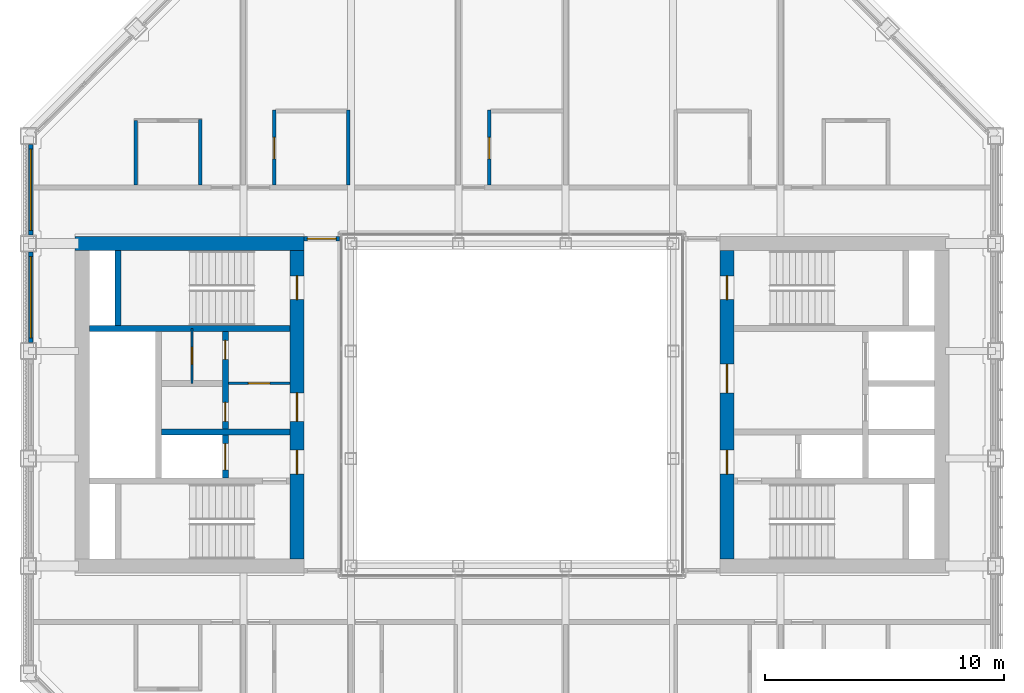
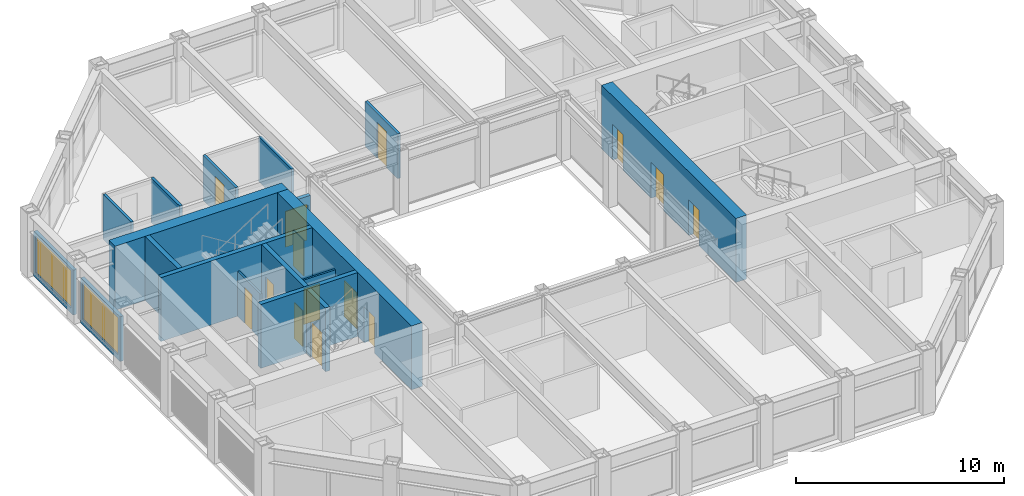
# One storey, part 10 of 16: 17 walls, 14 doors, 2 windows, 16 openings.
"""IFC4 building model written with IfcOpenShell, lengths in metres."""

from ifc_helpers import new_model, si_unit, direction, frame, frame_2d, origin, place, context, subcontext, project, spatial, rectangle, extrude, material, layer, layer_set, type_object, element, fill, save


model = new_model("IFC4")

# Units and contexts
model_context = context("Model", 3, precision=1e-05, world=origin(), true_north=direction((0.0, 1.0)))
body_context = subcontext(model_context, "Body", "Model", "MODEL_VIEW")
ifc_project = project(units=[si_unit("LENGTHUNIT", "METRE"), si_unit("AREAUNIT", "SQUARE_METRE"), si_unit("VOLUMEUNIT", "CUBIC_METRE"), si_unit("PLANEANGLEUNIT", "RADIAN"), si_unit("MASSUNIT", "GRAM", prefix="KILO")], contexts=[model_context])

# Site, building, storey
site_placement = place(None, origin())
site = spatial("IfcSite", under=ifc_project, at=site_placement, CompositionType="ELEMENT")
building_placement = place(site_placement, origin())
building = spatial("IfcBuilding", under=site, at=building_placement, Name="Msasa Ring Tower", CompositionType="ELEMENT")
storey_placement = place(building_placement, frame((0.0, 0.0, 215.800048828125)))
storey = spatial("IfcBuildingStorey", under=building, at=storey_placement, Name="L56", CompositionType="ELEMENT", Elevation=215.800048828125)

# Wall, openings, doors
ifc_material_1 = material(Name="Concrete C60/75", Category="concrete")
ifc_layer_1 = layer(ifc_material_1, 0.60009765625)
ifc_layer_set_1 = layer_set([ifc_layer_1], Name="CW3 CORE WALL 600")
wall_type_1 = type_object("IfcWallType", Name="CW3 CORE WALL 600", PredefinedType="SHEAR", material=ifc_layer_set_1)
wall_1_placement = place(storey_placement, frame((9.0, -6.449951171875, 0.0), z_axis=(0.0, 0.0, 1.0), x_axis=(0.0, 1.0, 0.0)))
wall_1 = element("IfcWall", 1, at=wall_1_placement, inside=storey, type_object=wall_type_1, Name="E core wall W L56", PredefinedType="SHEAR", context=body_context, shape_type="SweptSolid", body=[
    extrude(rectangle(XDim=12.89990234375, YDim=0.60009765625, at=frame_2d((6.449951171875, 0.0))), origin(), (0.0, 0.0, 1.0), 3.75),
])
opening_1_placement = place(wall_1_placement, frame((3.550048828125, 0.0, 0.0)))
opening_1 = element("IfcOpeningElement", 2, at=opening_1_placement, cuts=wall_1, Name="Opening SB-022", PredefinedType="OPENING", context=body_context, shape_type="SweptSolid", body=[
    extrude(rectangle(XDim=1.0, YDim=2.10009765625, at=frame_2d((0.5, 1.050048828125))), frame((0.0, 0.31005859375, 0.0), z_axis=(0.0, -1.0, 0.0), x_axis=(1.0, 0.0, 0.0)), (0.0, 0.0, 1.0), 0.6201171875),
])
opening_2_placement = place(wall_1_placement, frame((6.949951171875, 0.0, 0.0)))
opening_2 = element("IfcOpeningElement", 3, at=opening_2_placement, cuts=wall_1, Name="Opening SB-017", PredefinedType="OPENING", context=body_context, shape_type="SweptSolid", body=[
    extrude(rectangle(XDim=1.199951171875, YDim=2.10009765625, at=frame_2d((0.60009765625, 1.050048828125))), frame((0.0, 0.31005859375, 0.0), z_axis=(0.0, -1.0, 0.0), x_axis=(1.0, 0.0, 0.0)), (0.0, 0.0, 1.0), 0.6201171875),
])
opening_3_placement = place(wall_1_placement, frame((10.85009765625, 0.0, 0.0)))
opening_3 = element("IfcOpeningElement", 4, at=opening_3_placement, cuts=wall_1, Name="Opening SB-014", PredefinedType="OPENING", context=body_context, shape_type="SweptSolid", body=[
    extrude(rectangle(XDim=1.0, YDim=2.10009765625, at=frame_2d((0.5, 1.050048828125))), frame((0.0, 0.31005859375, 0.0), z_axis=(0.0, -1.0, 0.0), x_axis=(1.0, 0.0, 0.0)), (0.0, 0.0, 1.0), 0.6201171875),
])
ifc_material_2 = material(Name="Timber door leaf in a steel frame", Category="steel")
door_type_1 = type_object("IfcDoorType", Name="D4 LOBBY DOOR 1000x2100", OperationType="SINGLE_SWING_LEFT", PredefinedType="DOOR", material=ifc_material_2)
door_1_placement = place(opening_1_placement, origin())
door_1 = element("IfcDoor", 5, at=door_1_placement, inside=storey, type_object=door_type_1, Name="Door L56-EFFL", OperationType="SINGLE_SWING_LEFT", OverallHeight=2.10009765625, OverallWidth=1.0, PredefinedType="DOOR", context=body_context, shape_type="SweptSolid", body=[
    extrude(rectangle(XDim=1.0, YDim=2.10009765625, at=frame_2d((0.5, 1.050048828125))), frame((0.0, 0.02490234375, 0.0), z_axis=(0.0, -1.0, 0.0), x_axis=(1.0, 0.0, 0.0)), (0.0, 0.0, 1.0), 0.050048828125),
])
fill(opening_1, door_1)
ifc_material_3 = material(Name="Timber door leaf in a steel frame", Category="steel")
door_type_2 = type_object("IfcDoorType", Name="D5 WIDE LOBBY DOOR 1200x2100", OperationType="SINGLE_SWING_LEFT", PredefinedType="DOOR", material=ifc_material_3)
door_2_placement = place(opening_2_placement, origin())
door_2 = element("IfcDoor", 6, at=door_2_placement, inside=storey, type_object=door_type_2, Name="Door L56-ELL", OperationType="SINGLE_SWING_RIGHT", OverallHeight=2.10009765625, OverallWidth=1.199951171875, PredefinedType="DOOR", context=body_context, shape_type="SweptSolid", body=[
    extrude(rectangle(XDim=1.199951171875, YDim=2.10009765625, at=frame_2d((0.60009765625, 1.050048828125))), frame((0.0, 0.02490234375, 0.0), z_axis=(0.0, -1.0, 0.0), x_axis=(1.0, 0.0, 0.0)), (0.0, 0.0, 1.0), 0.050048828125),
])
fill(opening_2, door_2)
ifc_material_4 = material(Name="Timber door leaf in a steel frame", Category="steel")
door_type_3 = type_object("IfcDoorType", Name="D6 STAIR DOOR 1000x2100", OperationType="SINGLE_SWING_LEFT", PredefinedType="DOOR", material=ifc_material_4)
door_3_placement = place(opening_3_placement, origin())
door_3 = element("IfcDoor", 7, at=door_3_placement, inside=storey, type_object=door_type_3, Name="Door L56-ESTB", OperationType="SINGLE_SWING_RIGHT", OverallHeight=2.10009765625, OverallWidth=1.0, PredefinedType="DOOR", context=body_context, shape_type="SweptSolid", body=[
    extrude(rectangle(XDim=1.0, YDim=2.10009765625, at=frame_2d((0.5, 1.050048828125))), frame((0.0, 0.02490234375, 0.0), z_axis=(0.0, -1.0, 0.0), x_axis=(1.0, 0.0, 0.0)), (0.0, 0.0, 1.0), 0.050048828125),
])
fill(opening_3, door_3)

# Wall
wall_2_placement = place(storey_placement, frame((-8.699951171875, 6.75, 0.0), z_axis=(0.0, 0.0, 1.0), x_axis=(-1.0, 0.0, 0.0)))
element("IfcWall", 8, at=wall_2_placement, inside=storey, type_object=wall_type_1, Name="W core wall N L56", PredefinedType="SHEAR", context=body_context, shape_type="SweptSolid", body=[
    extrude(rectangle(XDim=9.60009765625, YDim=0.60009765625, at=frame_2d((4.800048828125, 0.0))), origin(), (0.0, 0.0, 1.0), 3.75),
])

# Wall, openings, doors
wall_3_placement = place(storey_placement, frame((-9.0, -6.449951171875, 0.0), z_axis=(0.0, 0.0, 1.0), x_axis=(0.0, 1.0, 0.0)))
wall_3 = element("IfcWall", 9, at=wall_3_placement, inside=storey, type_object=wall_type_1, Name="W core wall W L56", PredefinedType="SHEAR", context=body_context, shape_type="SweptSolid", body=[
    extrude(rectangle(XDim=12.89990234375, YDim=0.60009765625, at=frame_2d((6.449951171875, 0.0))), origin(), (0.0, 0.0, 1.0), 3.75),
])
opening_4_placement = place(wall_3_placement, frame((3.550048828125, 0.0, 0.0)))
opening_4 = element("IfcOpeningElement", 10, at=opening_4_placement, cuts=wall_3, Name="Opening SB-021", PredefinedType="OPENING", context=body_context, shape_type="SweptSolid", body=[
    extrude(rectangle(XDim=1.0, YDim=2.10009765625, at=frame_2d((0.5, 1.050048828125))), frame((0.0, 0.31005859375, 0.0), z_axis=(0.0, -1.0, 0.0), x_axis=(1.0, 0.0, 0.0)), (0.0, 0.0, 1.0), 0.6201171875),
])
opening_5_placement = place(wall_3_placement, frame((5.75, 0.0, 0.0)))
opening_5 = element("IfcOpeningElement", 11, at=opening_5_placement, cuts=wall_3, Name="Opening SB-019", PredefinedType="OPENING", context=body_context, shape_type="SweptSolid", body=[
    extrude(rectangle(XDim=1.199951171875, YDim=2.10009765625, at=frame_2d((0.60009765625, 1.050048828125))), frame((0.0, 0.31005859375, 0.0), z_axis=(0.0, -1.0, 0.0), x_axis=(1.0, 0.0, 0.0)), (0.0, 0.0, 1.0), 0.6201171875),
])
opening_6_placement = place(wall_3_placement, frame((10.85009765625, 0.0, 0.0)))
opening_6 = element("IfcOpeningElement", 12, at=opening_6_placement, cuts=wall_3, Name="Opening SB-013", PredefinedType="OPENING", context=body_context, shape_type="SweptSolid", body=[
    extrude(rectangle(XDim=1.0, YDim=2.10009765625, at=frame_2d((0.5, 1.050048828125))), frame((0.0, 0.31005859375, 0.0), z_axis=(0.0, -1.0, 0.0), x_axis=(1.0, 0.0, 0.0)), (0.0, 0.0, 1.0), 0.6201171875),
])
door_4_placement = place(opening_4_placement, origin())
door_4 = element("IfcDoor", 13, at=door_4_placement, inside=storey, type_object=door_type_1, Name="Door L56-WFFL", OperationType="SINGLE_SWING_LEFT", OverallHeight=2.10009765625, OverallWidth=1.0, PredefinedType="DOOR", context=body_context, shape_type="SweptSolid", body=[
    extrude(rectangle(XDim=1.0, YDim=2.10009765625, at=frame_2d((0.5, 1.050048828125))), frame((0.0, 0.02490234375, 0.0), z_axis=(0.0, -1.0, 0.0), x_axis=(1.0, 0.0, 0.0)), (0.0, 0.0, 1.0), 0.050048828125),
])
fill(opening_4, door_4)
door_5_placement = place(opening_5_placement, origin())
door_5 = element("IfcDoor", 14, at=door_5_placement, inside=storey, type_object=door_type_2, Name="Door L56-WLL", OperationType="SINGLE_SWING_LEFT", OverallHeight=2.10009765625, OverallWidth=1.199951171875, PredefinedType="DOOR", context=body_context, shape_type="SweptSolid", body=[
    extrude(rectangle(XDim=1.199951171875, YDim=2.10009765625, at=frame_2d((0.60009765625, 1.050048828125))), frame((0.0, 0.02490234375, 0.0), z_axis=(0.0, -1.0, 0.0), x_axis=(1.0, 0.0, 0.0)), (0.0, 0.0, 1.0), 0.050048828125),
])
fill(opening_5, door_5)
door_6_placement = place(opening_6_placement, origin())
door_6 = element("IfcDoor", 15, at=door_6_placement, inside=storey, type_object=door_type_3, Name="Door L56-WSTB", OperationType="SINGLE_SWING_RIGHT", OverallHeight=2.10009765625, OverallWidth=1.0, PredefinedType="DOOR", context=body_context, shape_type="SweptSolid", body=[
    extrude(rectangle(XDim=1.0, YDim=2.10009765625, at=frame_2d((0.5, 1.050048828125))), frame((0.0, 0.02490234375, 0.0), z_axis=(0.0, -1.0, 0.0), x_axis=(1.0, 0.0, 0.0)), (0.0, 0.0, 1.0), 0.050048828125),
])
fill(opening_6, door_6)

# Walls
ifc_material_5 = material(Name="Concrete C60/75", Category="concrete")
ifc_layer_2 = layer(ifc_material_5, 0.25)
ifc_layer_set_2 = layer_set([ifc_layer_2], Name="CW4 CORE INNER WALL 250")
wall_type_2 = type_object("IfcWallType", Name="CW4 CORE INNER WALL 250", PredefinedType="SHEAR", material=ifc_layer_set_2)
wall_4_placement = place(storey_placement, frame((-9.300048828125, 3.199951171875, 0.0), z_axis=(0.0, 0.0, 1.0), x_axis=(-1.0, 0.0, 0.0)))
element("IfcWall", 16, at=wall_4_placement, inside=storey, type_object=wall_type_2, Name="W core wall STAIRB L56", PredefinedType="SHEAR", context=body_context, shape_type="SweptSolid", body=[
    extrude(rectangle(XDim=8.39990234375, YDim=0.25, at=frame_2d((4.199951171875, 0.0))), origin(), (0.0, 0.0, 1.0), 3.75),
])
wall_5_placement = place(storey_placement, frame((-16.5, 3.324951171875, 0.0), z_axis=(0.0, 0.0, 1.0), x_axis=(0.0, 1.0, 0.0)))
element("IfcWall", 17, at=wall_5_placement, inside=storey, type_object=wall_type_2, Name="W core wall RISERB L56", PredefinedType="SHEAR", context=body_context, shape_type="SweptSolid", body=[
    extrude(rectangle(XDim=3.125, YDim=0.25, at=frame_2d((1.5625, 0.0))), origin(), (0.0, 0.0, 1.0), 3.75),
])
wall_6_placement = place(storey_placement, frame((-9.300048828125, -1.14990234375, 0.0), z_axis=(0.0, 0.0, 1.0), x_axis=(-1.0, 0.0, 0.0)))
element("IfcWall", 18, at=wall_6_placement, inside=storey, type_object=wall_type_2, Name="W core wall FFL L56", PredefinedType="SHEAR", context=body_context, shape_type="SweptSolid", body=[
    extrude(rectangle(XDim=5.375, YDim=0.25, at=frame_2d((2.6875, 0.0))), origin(), (0.0, 0.0, 1.0), 3.75),
])

# Wall, openings, doors
wall_7_placement = place(storey_placement, frame((-12.0, -3.074951171875, 0.0), z_axis=(0.0, 0.0, 1.0), x_axis=(0.0, 1.0, 0.0)))
wall_7 = element("IfcWall", 19, at=wall_7_placement, inside=storey, type_object=wall_type_2, Name="W core wall LOBBY L56", PredefinedType="SHEAR", context=body_context, shape_type="SweptSolid", body=[
    extrude(rectangle(XDim=6.14990234375, YDim=0.25, at=frame_2d((3.074951171875, 0.0))), origin(), (0.0, 0.0, 1.0), 3.75),
])
opening_7_placement = place(wall_7_placement, frame((2.375, 0.0, 0.0)))
opening_7 = element("IfcOpeningElement", 20, at=opening_7_placement, cuts=wall_7, Name="Opening SB-020", PredefinedType="OPENING", context=body_context, shape_type="SweptSolid", body=[
    extrude(rectangle(XDim=0.800048828125, YDim=2.10009765625, at=frame_2d((0.39990234375, 1.050048828125))), frame((0.0, 0.135009765625, 0.0), z_axis=(0.0, -1.0, 0.0), x_axis=(1.0, 0.0, 0.0)), (0.0, 0.0, 1.0), 0.27001953125),
])
opening_8_placement = place(wall_7_placement, frame((4.97509765625, 0.0, 0.0)))
opening_8 = element("IfcOpeningElement", 21, at=opening_8_placement, cuts=wall_7, Name="Opening SB-015", PredefinedType="OPENING", context=body_context, shape_type="SweptSolid", body=[
    extrude(rectangle(XDim=0.800048828125, YDim=2.10009765625, at=frame_2d((0.39990234375, 1.050048828125))), frame((0.0, 0.135009765625, 0.0), z_axis=(0.0, -1.0, 0.0), x_axis=(1.0, 0.0, 0.0)), (0.0, 0.0, 1.0), 0.27001953125),
])
opening_9_placement = place(wall_7_placement, frame((0.35009765625, 0.0, 0.0)))
opening_9 = element("IfcOpeningElement", 22, at=opening_9_placement, cuts=wall_7, Name="Opening LD1", PredefinedType="OPENING", context=body_context, shape_type="SweptSolid", body=[
    extrude(rectangle(XDim=1.10009765625, YDim=2.10009765625, at=frame_2d((0.550048828125, 1.050048828125))), frame((0.0, 0.135009765625, 0.0), z_axis=(0.0, -1.0, 0.0), x_axis=(1.0, 0.0, 0.0)), (0.0, 0.0, 1.0), 0.27001953125),
])
ifc_material_6 = material(Name="Timber door leaf in a steel frame", Category="steel")
door_type_4 = type_object("IfcDoorType", Name="D9 NARROW SERVICE DOOR 800x2100", OperationType="SINGLE_SWING_LEFT", PredefinedType="DOOR", material=ifc_material_6)
door_7_placement = place(opening_7_placement, origin())
door_7 = element("IfcDoor", 23, at=door_7_placement, inside=storey, type_object=door_type_4, Name="Door L56-WR1", OperationType="SINGLE_SWING_LEFT", OverallHeight=2.10009765625, OverallWidth=0.800048828125, PredefinedType="DOOR", context=body_context, shape_type="SweptSolid", body=[
    extrude(rectangle(XDim=0.800048828125, YDim=2.10009765625, at=frame_2d((0.39990234375, 1.050048828125))), frame((0.0, 0.02490234375, 0.0), z_axis=(0.0, -1.0, 0.0), x_axis=(1.0, 0.0, 0.0)), (0.0, 0.0, 1.0), 0.050048828125),
])
fill(opening_7, door_7)
door_8_placement = place(opening_8_placement, origin())
door_8 = element("IfcDoor", 24, at=door_8_placement, inside=storey, type_object=door_type_4, Name="Door L56-WR2", OperationType="SINGLE_SWING_RIGHT", OverallHeight=2.10009765625, OverallWidth=0.800048828125, PredefinedType="DOOR", context=body_context, shape_type="SweptSolid", body=[
    extrude(rectangle(XDim=0.800048828125, YDim=2.10009765625, at=frame_2d((0.39990234375, 1.050048828125))), frame((0.0, 0.02490234375, 0.0), z_axis=(0.0, -1.0, 0.0), x_axis=(1.0, 0.0, 0.0)), (0.0, 0.0, 1.0), 0.050048828125),
])
fill(opening_8, door_8)
ifc_material_7 = material(Name="Stainless steel lift landing door", Category="steel")
door_type_5 = type_object("IfcDoorType", Name="LD1 LIFT LANDING DOOR 1100x2100", OperationType="DOUBLE_DOOR_SLIDING", PredefinedType="DOOR", material=ifc_material_7)
door_9_placement = place(opening_9_placement, origin())
door_9 = element("IfcDoor", 25, at=door_9_placement, inside=storey, type_object=door_type_5, Name="Lift landing door FL-W L56", OperationType="DOUBLE_DOOR_SLIDING", OverallHeight=2.10009765625, OverallWidth=1.10009765625, PredefinedType="DOOR", context=body_context, shape_type="SweptSolid", body=[
    extrude(rectangle(XDim=1.10009765625, YDim=2.10009765625, at=frame_2d((0.550048828125, 1.050048828125))), frame((0.0, 0.02490234375, 0.0), z_axis=(0.0, -1.0, 0.0), x_axis=(1.0, 0.0, 0.0)), (0.0, 0.0, 1.0), 0.050048828125),
])
fill(opening_9, door_9)

# Wall, opening, window
ifc_material_8 = material(Name="Terracotta rainscreen on blockwork", Category="masonry")
ifc_layer_3 = layer(ifc_material_8, 0.199951171875)
ifc_layer_set_3 = layer_set([ifc_layer_3], Name="FW1 TERRACOTTA-LINED INFILL BAY WALL 200")
wall_type_3 = type_object("IfcWallType", Name="FW1 TERRACOTTA-LINED INFILL BAY WALL 200", PredefinedType="SOLIDWALL", material=ifc_layer_set_3)
wall_8_placement = place(storey_placement, frame((-20.14990234375, 2.60498046875, 0.0), z_axis=(0.0, 0.0, 1.0), x_axis=(0.0, 1.0, 0.0)))
wall_8 = element("IfcWall", 26, at=wall_8_placement, inside=storey, type_object=wall_type_3, Name="Infill bay wall W L56 24", PredefinedType="SOLIDWALL", context=body_context, shape_type="SweptSolid", body=[
    extrude(rectangle(XDim=3.7900390625, YDim=0.199951171875, at=frame_2d((1.89501953125, 0.0))), origin(), (0.0, 0.0, 1.0), 2.62890625),
])
opening_10_placement = place(wall_8_placement, frame((0.195068359375, 0.0, 0.300048828125)))
opening_10 = element("IfcOpeningElement", 27, at=opening_10_placement, cuts=wall_8, Name="Opening WN3", PredefinedType="OPENING", context=body_context, shape_type="SweptSolid", body=[
    extrude(rectangle(XDim=3.39990234375, YDim=2.178955078125, at=frame_2d((1.699951171875, 1.08935546875))), frame((0.0, 0.10986328125, 0.0), z_axis=(0.0, -1.0, 0.0), x_axis=(1.0, 0.0, 0.0)), (0.0, 0.0, 1.0), 0.219970703125),
])
ifc_material_9 = material(Name="Aluminium frame with clear glass", Category="aluminium")
window_type = type_object("IfcWindowType", Name="WN3 SUITE WINDOW 3400x2179", PartitioningType="SINGLE_PANEL", PredefinedType="WINDOW", material=ifc_material_9)
window_1_placement = place(opening_10_placement, origin())
window_1 = element("IfcWindow", 28, at=window_1_placement, inside=storey, type_object=window_type, Name="Window W L56 24", OverallHeight=2.178955078125, OverallWidth=3.39990234375, PartitioningType="SINGLE_PANEL", PredefinedType="WINDOW", context=body_context, shape_type="SweptSolid", body=[
    extrude(rectangle(XDim=3.39990234375, YDim=2.178955078125, at=frame_2d((1.699951171875, 1.08935546875))), frame((0.0, 0.030029296875, 0.0), z_axis=(0.0, -1.0, 0.0), x_axis=(1.0, 0.0, 0.0)), (0.0, 0.0, 1.0), 0.06005859375),
])
fill(opening_10, window_1)

wall_9_placement = place(storey_placement, frame((-20.14990234375, 7.10498046875, 0.0), z_axis=(0.0, 0.0, 1.0), x_axis=(0.0, 1.0, 0.0)))
wall_9 = element("IfcWall", 29, at=wall_9_placement, inside=storey, type_object=wall_type_3, Name="Infill bay wall W L56 25", PredefinedType="SOLIDWALL", context=body_context, shape_type="SweptSolid", body=[
    extrude(rectangle(XDim=3.7900390625, YDim=0.199951171875, at=frame_2d((1.89501953125, 0.0))), origin(), (0.0, 0.0, 1.0), 2.62890625),
])
opening_11_placement = place(wall_9_placement, frame((0.195068359375, 0.0, 0.300048828125)))
opening_11 = element("IfcOpeningElement", 30, at=opening_11_placement, cuts=wall_9, Name="Opening WN3", PredefinedType="OPENING", context=body_context, shape_type="SweptSolid", body=[
    extrude(rectangle(XDim=3.39990234375, YDim=2.178955078125, at=frame_2d((1.699951171875, 1.08935546875))), frame((0.0, 0.10986328125, 0.0), z_axis=(0.0, -1.0, 0.0), x_axis=(1.0, 0.0, 0.0)), (0.0, 0.0, 1.0), 0.219970703125),
])
window_2_placement = place(opening_11_placement, origin())
window_2 = element("IfcWindow", 31, at=window_2_placement, inside=storey, type_object=window_type, Name="Window W L56 25", OverallHeight=2.178955078125, OverallWidth=3.39990234375, PartitioningType="SINGLE_PANEL", PredefinedType="WINDOW", context=body_context, shape_type="SweptSolid", body=[
    extrude(rectangle(XDim=3.39990234375, YDim=2.178955078125, at=frame_2d((1.699951171875, 1.08935546875))), frame((0.0, 0.030029296875, 0.0), z_axis=(0.0, -1.0, 0.0), x_axis=(1.0, 0.0, 0.0)), (0.0, 0.0, 1.0), 0.06005859375),
])
fill(opening_11, window_2)

# Wall, opening, door
ifc_material_10 = material(Name="Concrete blockwork", Category="masonry")
ifc_layer_4 = layer(ifc_material_10, 0.199951171875)
ifc_layer_set_4 = layer_set([ifc_layer_4], Name="PT1 CORRIDOR WALL 200")
wall_type_4 = type_object("IfcWallType", Name="PT1 CORRIDOR WALL 200", PredefinedType="PARTITIONING", material=ifc_layer_set_4)
wall_10_placement = place(storey_placement, frame((-8.699951171875, 6.949951171875, 0.0), z_axis=(0.0, 0.0, 1.0), x_axis=(1.0, 0.0, 0.0)))
wall_10 = element("IfcWall", 32, at=wall_10_placement, inside=storey, type_object=wall_type_4, Name="Corridor wall L56-SDWN", PredefinedType="PARTITIONING", context=body_context, shape_type="SweptSolid", body=[
    extrude(rectangle(XDim=1.469970703125, YDim=0.199951171875, at=frame_2d((0.73486328125, 0.0))), origin(), (0.0, 0.0, 1.0), 2.62890625),
])
opening_12_placement = place(wall_10_placement, frame((0.135009765625, 0.0, 0.0)))
opening_12 = element("IfcOpeningElement", 33, at=opening_12_placement, cuts=wall_10, Name="Opening SB-011", PredefinedType="OPENING", context=body_context, shape_type="SweptSolid", body=[
    extrude(rectangle(XDim=1.199951171875, YDim=2.10009765625, at=frame_2d((0.60009765625, 1.050048828125))), frame((0.0, 0.10986328125, 0.0), z_axis=(0.0, -1.0, 0.0), x_axis=(1.0, 0.0, 0.0)), (0.0, 0.0, 1.0), 0.219970703125),
])
ifc_material_11 = material(Name="Timber door leaf in a steel frame", Category="steel")
door_type_6 = type_object("IfcDoorType", Name="D25 CORRIDOR PAIR OF SMOKE DOORS 1200x2100", OperationType="DOUBLE_DOOR_DOUBLE_SWING", PredefinedType="DOOR", material=ifc_material_11)
door_10_placement = place(opening_12_placement, origin())
door_10 = element("IfcDoor", 34, at=door_10_placement, inside=storey, type_object=door_type_6, Name="Door L56-SDWN", OperationType="DOUBLE_DOOR_DOUBLE_SWING", OverallHeight=2.10009765625, OverallWidth=1.199951171875, PredefinedType="DOOR", context=body_context, shape_type="SweptSolid", body=[
    extrude(rectangle(XDim=1.199951171875, YDim=2.10009765625, at=frame_2d((0.60009765625, 1.050048828125))), frame((0.0, 0.02490234375, 0.0), z_axis=(0.0, -1.0, 0.0), x_axis=(1.0, 0.0, 0.0)), (0.0, 0.0, 1.0), 0.050048828125),
])
fill(opening_12, door_10)

ifc_material_12 = material(Name="Gypsum board on steel studs", Category="steel")
ifc_layer_5 = layer(ifc_material_12, 0.10009765625)
ifc_layer_set_5 = layer_set([ifc_layer_5], Name="PT2 STUD PARTITION 100")
wall_type_5 = type_object("IfcWallType", Name="PT2 STUD PARTITION 100", PredefinedType="PARTITIONING", material=ifc_layer_set_5)
wall_11_placement = place(storey_placement, frame((-11.875, 0.89990234375, 0.0), z_axis=(0.0, 0.0, 1.0), x_axis=(1.0, 0.0, 0.0)))
wall_11 = element("IfcWall", 35, at=wall_11_placement, inside=storey, type_object=wall_type_5, Name="Partition L56-WCP", PredefinedType="PARTITIONING", context=body_context, shape_type="SweptSolid", body=[
    extrude(rectangle(XDim=2.574951171875, YDim=0.10009765625, at=frame_2d((1.28759765625, 0.0))), origin(), (0.0, 0.0, 1.0), 2.62890625),
])
opening_13_placement = place(wall_11_placement, frame((0.83740234375, 0.0, 0.0)))
opening_13 = element("IfcOpeningElement", 36, at=opening_13_placement, cuts=wall_11, Name="Opening SB-018", PredefinedType="OPENING", context=body_context, shape_type="SweptSolid", body=[
    extrude(rectangle(XDim=0.89990234375, YDim=2.10009765625, at=frame_2d((0.449951171875, 1.050048828125))), frame((0.0, 0.06005859375, 0.0), z_axis=(0.0, -1.0, 0.0), x_axis=(1.0, 0.0, 0.0)), (0.0, 0.0, 1.0), 0.1201171875),
])
ifc_material_13 = material(Name="Timber door leaf in a steel frame", Category="steel")
door_type_7 = type_object("IfcDoorType", Name="D22 INTERNAL HALL DOOR 900x2100", OperationType="SINGLE_SWING_LEFT", PredefinedType="DOOR", material=ifc_material_13)
door_11_placement = place(opening_13_placement, origin())
door_11 = element("IfcDoor", 37, at=door_11_placement, inside=storey, type_object=door_type_7, Name="Door L56-WCP", OperationType="SINGLE_SWING_LEFT", OverallHeight=2.10009765625, OverallWidth=0.89990234375, PredefinedType="DOOR", context=body_context, shape_type="SweptSolid", body=[
    extrude(rectangle(XDim=0.89990234375, YDim=2.10009765625, at=frame_2d((0.449951171875, 1.050048828125))), frame((0.0, 0.02490234375, 0.0), z_axis=(0.0, -1.0, 0.0), x_axis=(1.0, 0.0, 0.0)), (0.0, 0.0, 1.0), 0.050048828125),
])
fill(opening_13, door_11)

wall_12_placement = place(storey_placement, frame((-13.39990234375, 0.89990234375, 0.0), z_axis=(0.0, 0.0, 1.0), x_axis=(0.0, 1.0, 0.0)))
wall_12 = element("IfcWall", 38, at=wall_12_placement, inside=storey, type_object=wall_type_5, Name="Partition L56-WRP2", PredefinedType="PARTITIONING", context=body_context, shape_type="SweptSolid", body=[
    extrude(rectangle(XDim=2.300048828125, YDim=0.10009765625, at=frame_2d((1.14990234375, 0.0))), origin(), (0.0, 0.0, 1.0), 2.62890625),
])
opening_14_placement = place(wall_12_placement, frame((0.800048828125, 0.0, 0.0)))
opening_14 = element("IfcOpeningElement", 39, at=opening_14_placement, cuts=wall_12, Name="Opening SB-016", PredefinedType="OPENING", context=body_context, shape_type="SweptSolid", body=[
    extrude(rectangle(XDim=0.699951171875, YDim=2.10009765625, at=frame_2d((0.35009765625, 1.050048828125))), frame((0.0, 0.06005859375, 0.0), z_axis=(0.0, -1.0, 0.0), x_axis=(1.0, 0.0, 0.0)), (0.0, 0.0, 1.0), 0.1201171875),
])
ifc_material_14 = material(Name="Timber door leaf in a steel frame", Category="steel")
door_type_8 = type_object("IfcDoorType", Name="D32 INTERNAL NARROW STORE DOOR 700x2100", OperationType="SINGLE_SWING_LEFT", PredefinedType="DOOR", material=ifc_material_14)
door_12_placement = place(opening_14_placement, origin())
door_12 = element("IfcDoor", 40, at=door_12_placement, inside=storey, type_object=door_type_8, Name="Door L56-WRC2", OperationType="SINGLE_SWING_LEFT", OverallHeight=2.10009765625, OverallWidth=0.699951171875, PredefinedType="DOOR", context=body_context, shape_type="SweptSolid", body=[
    extrude(rectangle(XDim=0.699951171875, YDim=2.10009765625, at=frame_2d((0.35009765625, 1.050048828125))), frame((0.0, 0.02490234375, 0.0), z_axis=(0.0, -1.0, 0.0), x_axis=(1.0, 0.0, 0.0)), (0.0, 0.0, 1.0), 0.050048828125),
])
fill(opening_14, door_12)

ifc_material_15 = material(Name="Moisture-resistant board on steel studs with a concealed cistern and pipe void, tiled", Category="steel")
ifc_layer_6 = layer(ifc_material_15, 0.14990234375)
ifc_layer_set_6 = layer_set([ifc_layer_6], Name="PT4 BATHROOM WET WALL 150")
wall_type_6 = type_object("IfcWallType", Name="PT4 BATHROOM WET WALL 150", PredefinedType="PARTITIONING", material=ifc_layer_set_6)
wall_13_placement = place(storey_placement, frame((-9.949951171875, 9.199951171875, 0.0), z_axis=(0.0, 0.0, 1.0), x_axis=(0.0, 1.0, 0.0)))
wall_13 = element("IfcWall", 41, at=wall_13_placement, inside=storey, type_object=wall_type_6, Name="Partition L56-JN00BX", PredefinedType="PARTITIONING", context=body_context, shape_type="SweptSolid", body=[
    extrude(rectangle(XDim=3.150146484375, YDim=0.14990234375, at=frame_2d((1.5751953125, 0.0))), origin(), (0.0, 0.0, 1.0), 2.62890625),
])
opening_15_placement = place(wall_13_placement, frame((1.10009765625, 0.0, 0.0)))
opening_15 = element("IfcOpeningElement", 42, at=opening_15_placement, cuts=wall_13, Name="Opening SB-003", PredefinedType="OPENING", context=body_context, shape_type="SweptSolid", body=[
    extrude(rectangle(XDim=0.89990234375, YDim=2.10009765625, at=frame_2d((0.449951171875, 1.050048828125))), frame((0.0, 0.0849609375, 0.0), z_axis=(0.0, -1.0, 0.0), x_axis=(1.0, 0.0, 0.0)), (0.0, 0.0, 1.0), 0.169921875),
])
ifc_material_16 = material(Name="Timber door leaf in a steel frame", Category="steel")
door_type_9 = type_object("IfcDoorType", Name="D3 BATHROOM DOOR 900x2100", OperationType="SINGLE_SWING_LEFT", PredefinedType="DOOR", material=ifc_material_16)
door_13_placement = place(opening_15_placement, origin())
door_13 = element("IfcDoor", 43, at=door_13_placement, inside=storey, type_object=door_type_9, Name="Door L56-JN00B", OperationType="SINGLE_SWING_LEFT", OverallHeight=2.10009765625, OverallWidth=0.89990234375, PredefinedType="DOOR", context=body_context, shape_type="SweptSolid", body=[
    extrude(rectangle(XDim=0.89990234375, YDim=2.10009765625, at=frame_2d((0.449951171875, 1.050048828125))), frame((0.0, 0.02490234375, 0.0), z_axis=(0.0, -1.0, 0.0), x_axis=(1.0, 0.0, 0.0)), (0.0, 0.0, 1.0), 0.050048828125),
])
fill(opening_15, door_13)

# Wall
wall_14_placement = place(storey_placement, frame((-6.85009765625, 9.199951171875, 0.0), z_axis=(0.0, 0.0, 1.0), x_axis=(0.0, 1.0, 0.0)))
element("IfcWall", 44, at=wall_14_placement, inside=storey, type_object=wall_type_6, Name="Partition L56-JN00BF", PredefinedType="PARTITIONING", context=body_context, shape_type="SweptSolid", body=[
    extrude(rectangle(XDim=3.150146484375, YDim=0.14990234375, at=frame_2d((1.5751953125, 0.0))), origin(), (0.0, 0.0, 1.0), 2.62890625),
])

# Wall, opening, door
wall_15_placement = place(storey_placement, frame((-0.949951171875, 9.199951171875, 0.0), z_axis=(0.0, 0.0, 1.0), x_axis=(0.0, 1.0, 0.0)))
wall_15 = element("IfcWall", 45, at=wall_15_placement, inside=storey, type_object=wall_type_6, Name="Partition L56-JN01BX", PredefinedType="PARTITIONING", context=body_context, shape_type="SweptSolid", body=[
    extrude(rectangle(XDim=3.150146484375, YDim=0.14990234375, at=frame_2d((1.5751953125, 0.0))), origin(), (0.0, 0.0, 1.0), 2.62890625),
])
opening_16_placement = place(wall_15_placement, frame((1.10009765625, 0.0, 0.0)))
opening_16 = element("IfcOpeningElement", 46, at=opening_16_placement, cuts=wall_15, Name="Opening SB-004", PredefinedType="OPENING", context=body_context, shape_type="SweptSolid", body=[
    extrude(rectangle(XDim=0.89990234375, YDim=2.10009765625, at=frame_2d((0.449951171875, 1.050048828125))), frame((0.0, 0.0849609375, 0.0), z_axis=(0.0, -1.0, 0.0), x_axis=(1.0, 0.0, 0.0)), (0.0, 0.0, 1.0), 0.169921875),
])
door_14_placement = place(opening_16_placement, origin())
door_14 = element("IfcDoor", 47, at=door_14_placement, inside=storey, type_object=door_type_9, Name="Door L56-JN01B", OperationType="SINGLE_SWING_LEFT", OverallHeight=2.10009765625, OverallWidth=0.89990234375, PredefinedType="DOOR", context=body_context, shape_type="SweptSolid", body=[
    extrude(rectangle(XDim=0.89990234375, YDim=2.10009765625, at=frame_2d((0.449951171875, 1.050048828125))), frame((0.0, 0.02490234375, 0.0), z_axis=(0.0, -1.0, 0.0), x_axis=(1.0, 0.0, 0.0)), (0.0, 0.0, 1.0), 0.050048828125),
])
fill(opening_16, door_14)

# Walls
wall_16_placement = place(storey_placement, frame((-13.050048828125, 9.199951171875, 0.0), z_axis=(0.0, 0.0, 1.0), x_axis=(0.0, 1.0, 0.0)))
element("IfcWall", 48, at=wall_16_placement, inside=storey, type_object=wall_type_6, Name="Partition L56-CSNWBX", PredefinedType="PARTITIONING", context=body_context, shape_type="SweptSolid", body=[
    extrude(rectangle(XDim=2.75, YDim=0.14990234375, at=frame_2d((1.375, 0.0))), origin(), (0.0, 0.0, 1.0), 2.62890625),
])
wall_17_placement = place(storey_placement, frame((-15.75, 9.199951171875, 0.0), z_axis=(0.0, 0.0, 1.0), x_axis=(0.0, 1.0, 0.0)))
element("IfcWall", 49, at=wall_17_placement, inside=storey, type_object=wall_type_6, Name="Partition L56-CSNWBE", PredefinedType="PARTITIONING", context=body_context, shape_type="SweptSolid", body=[
    extrude(rectangle(XDim=2.699951171875, YDim=0.14990234375, at=frame_2d((1.35009765625, 0.0))), origin(), (0.0, 0.0, 1.0), 2.62890625),
])

save(model, "model.ifc")
